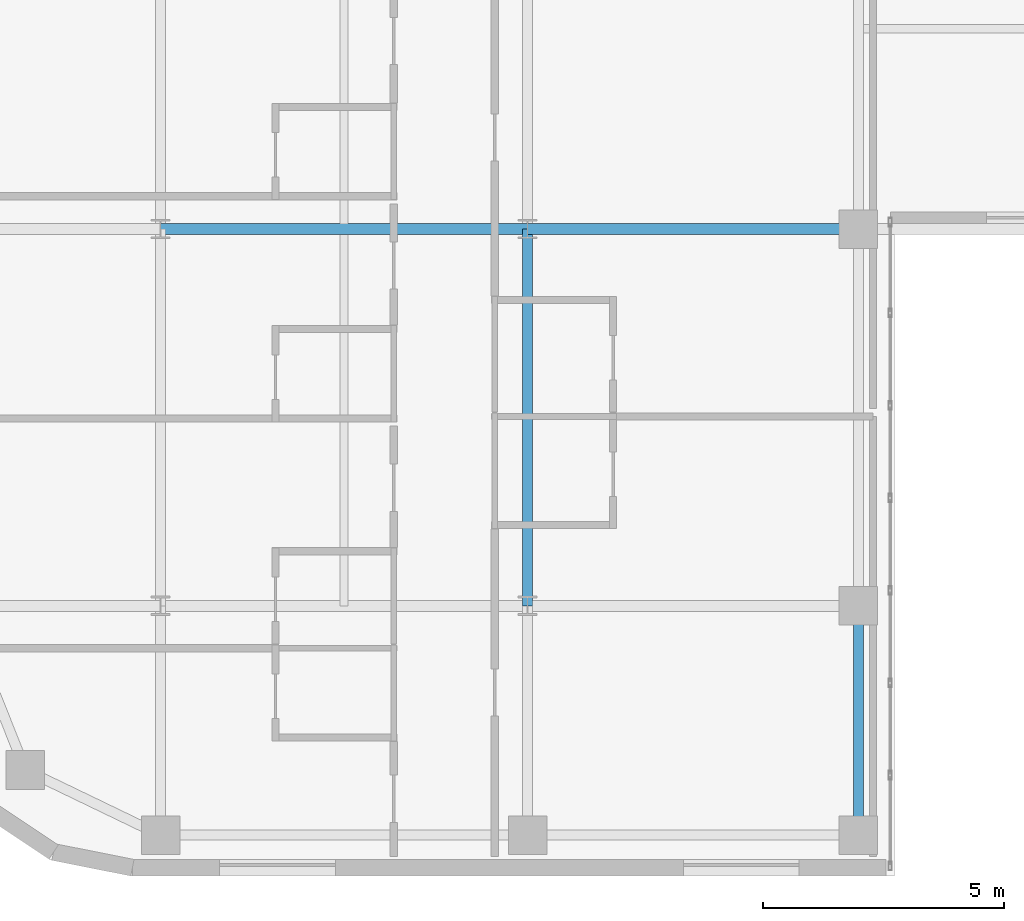
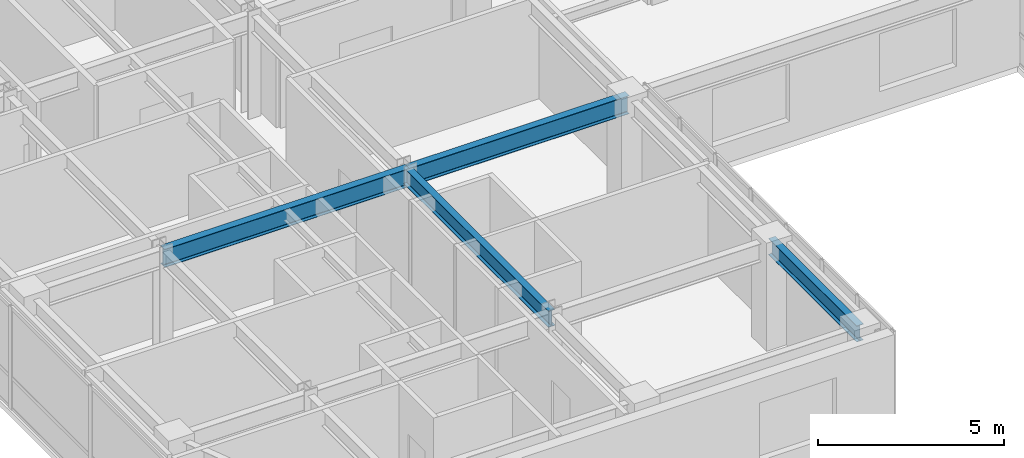
# One storey, part 6 of 24: 4 beams.
"""IFC4 building model written with IfcOpenShell, lengths in metres."""

from ifc_helpers import new_model, si_unit, direction, frame, origin, origin_2d, place, context, subcontext, project, spatial, i_section, extrude, source, transform, mapped, material, material_profile, profile_set, type_object, type_shapes, element, save


model = new_model("IFC4")

# Units and contexts
model_context = context("Model", 3, precision=1e-05, world=origin(), true_north=direction((0.0, 1.0)))
body_context = subcontext(model_context, "Body", "Model", "MODEL_VIEW")
ifc_project = project(units=[si_unit("LENGTHUNIT", "METRE"), si_unit("AREAUNIT", "SQUARE_METRE"), si_unit("VOLUMEUNIT", "CUBIC_METRE"), si_unit("PLANEANGLEUNIT", "RADIAN"), si_unit("MASSUNIT", "GRAM", prefix="KILO")], contexts=[model_context])

# Site, building, storey
site_placement = place(None, origin())
site = spatial("IfcSite", under=ifc_project, at=site_placement, CompositionType="ELEMENT")
building_placement = place(site_placement, origin())
building = spatial("IfcBuilding", under=site, at=building_placement, Name="Tolvann Quenvar Hotel", CompositionType="ELEMENT")
storey_placement = place(building_placement, frame((0.0, 0.0, 157.699951171875)))
storey = spatial("IfcBuildingStorey", under=building, at=storey_placement, Name="L41", CompositionType="ELEMENT", Elevation=157.699951171875)

# Beams
ifc_material = material(Name="Steel Grade 350", Category="steel")
ifc_material_profile_1 = material_profile(ifc_material, i_section(OverallWidth=0.208984375, OverallDepth=0.532958984375, WebThickness=0.01025390625, FlangeThickness=0.015625, FilletRadius=0.013916015625, at=origin_2d()), Name="530UB92")
ifc_profile_set_1 = profile_set([ifc_material_profile_1], Name="Steel Grade 350")
beam_type_1 = type_object("IfcBeamType", Name="BM_GIRD_530UB92", PredefinedType="BEAM", material=ifc_profile_set_1)
shared_shape_1 = source(origin(), body_context, "Body", "SweptSolid", [
    extrude(i_section(OverallWidth=0.208984375, OverallDepth=0.532958984375, WebThickness=0.01025390625, FlangeThickness=0.015625, FilletRadius=0.013916015625, at=origin_2d()), origin(), (0.0, 0.0, 1.0), 7.800048828125),
])
beam_1_placement = place(storey_placement, frame((15.199951171875, 8.199951171875, 3.103515625), z_axis=(0.0, 1.0, 0.0), x_axis=(-1.0, 0.0, 0.0)))
element("IfcBeam", 1, at=beam_1_placement, inside=storey, type_object=beam_type_1, Name="BM-L41-NS-D3-D4", PredefinedType="BEAM", context=body_context, shape_type="MappedRepresentation", body=[
    mapped(shared_shape_1, transform((0.0, 0.0, 0.0), x_axis=(1.0, 0.0, 0.0), y_axis=(0.0, 1.0, 0.0), z_axis=(0.0, 0.0, 1.0), scale=1.0)),
])
ifc_material_profile_2 = material_profile(ifc_material, i_section(OverallWidth=0.22802734375, OverallDepth=0.60205078125, WebThickness=0.010498046875, FlangeThickness=0.014892578125, FilletRadius=0.013916015625, at=origin_2d()), Name="610UB101")
ifc_profile_set_2 = profile_set([ifc_material_profile_2], Name="Steel Grade 350")
beam_type_2 = type_object("IfcBeamType", Name="BM_GIRD_610UB101", PredefinedType="BEAM", material=ifc_profile_set_2)
shared_shape_2 = source(origin(), body_context, "Body", "SweptSolid", [
    extrude(i_section(OverallWidth=0.22802734375, OverallDepth=0.60205078125, WebThickness=0.010498046875, FlangeThickness=0.014892578125, FilletRadius=0.013916015625, at=origin_2d()), origin(), (0.0, 0.0, 1.0), 7.599853515625),
])
beam_2_placement = place(storey_placement, frame((7.60009765625, 16.0, 3.069091796875), z_axis=(1.0, 0.0, 0.0), x_axis=(0.0, 1.0, 0.0)))
element("IfcBeam", 2, at=beam_2_placement, inside=storey, type_object=beam_type_2, Name="BM-L41-EW-4-C4-D4", PredefinedType="BEAM", context=body_context, shape_type="MappedRepresentation", body=[
    mapped(shared_shape_2, transform((0.0, 0.0, 0.0), x_axis=(1.0, 0.0, 0.0), y_axis=(0.0, 1.0, 0.0), z_axis=(0.0, 0.0, 1.0), scale=1.0)),
])
shared_shape_3 = source(origin(), body_context, "Body", "SweptSolid", [
    extrude(i_section(OverallWidth=0.22802734375, OverallDepth=0.60205078125, WebThickness=0.010498046875, FlangeThickness=0.014892578125, FilletRadius=0.013916015625, at=origin_2d()), origin(), (0.0, 0.0, 1.0), 6.85009765625),
])
type_shapes(beam_type_2, [shared_shape_2, shared_shape_3])
beam_3_placement = place(storey_placement, frame((15.199951171875, 16.0, 3.069091796875), z_axis=(1.0, 0.0, 0.0), x_axis=(0.0, 1.0, 0.0)))
element("IfcBeam", 3, at=beam_3_placement, inside=storey, type_object=beam_type_2, Name="BM-L41-EW-4-D4-E4", PredefinedType="BEAM", context=body_context, shape_type="MappedRepresentation", body=[
    mapped(shared_shape_3, transform((0.0, 0.0, 0.0), x_axis=(1.0, 0.0, 0.0), y_axis=(0.0, 1.0, 0.0), z_axis=(0.0, 0.0, 1.0), scale=1.0)),
])
shared_shape_4 = source(origin(), body_context, "Body", "SweptSolid", [
    extrude(i_section(OverallWidth=0.208984375, OverallDepth=0.532958984375, WebThickness=0.01025390625, FlangeThickness=0.015625, FilletRadius=0.013916015625, at=origin_2d()), origin(), (0.0, 0.0, 1.0), 4.75),
])
type_shapes(beam_type_1, [shared_shape_1, shared_shape_4])
beam_4_placement = place(storey_placement, frame((22.050048828125, 3.449951171875, 3.103515625), z_axis=(0.0, 1.0, 0.0), x_axis=(-1.0, 0.0, 0.0)))
element("IfcBeam", 4, at=beam_4_placement, inside=storey, type_object=beam_type_1, Name="BM-L41-NS-E2-E3", PredefinedType="BEAM", context=body_context, shape_type="MappedRepresentation", body=[
    mapped(shared_shape_4, transform((0.0, 0.0, 0.0), x_axis=(1.0, 0.0, 0.0), y_axis=(0.0, 1.0, 0.0), z_axis=(0.0, 0.0, 1.0), scale=1.0)),
])

save(model, "model.ifc")
